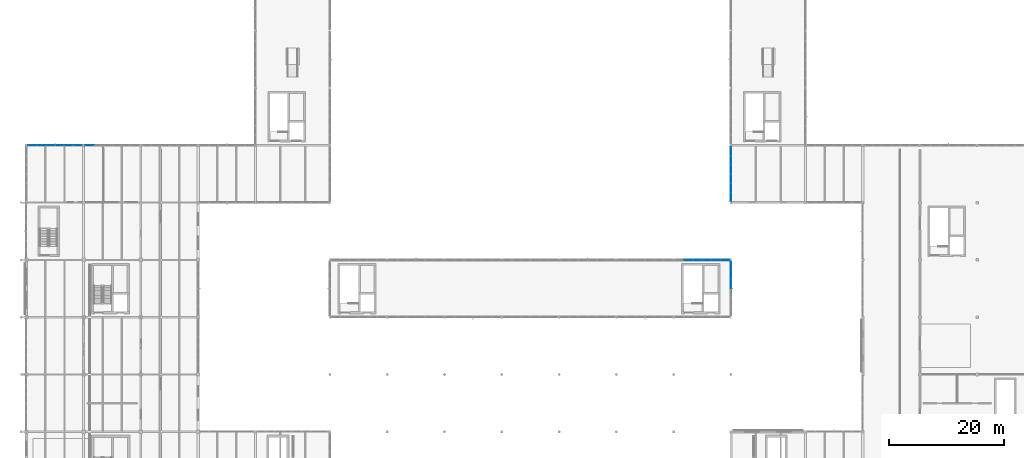
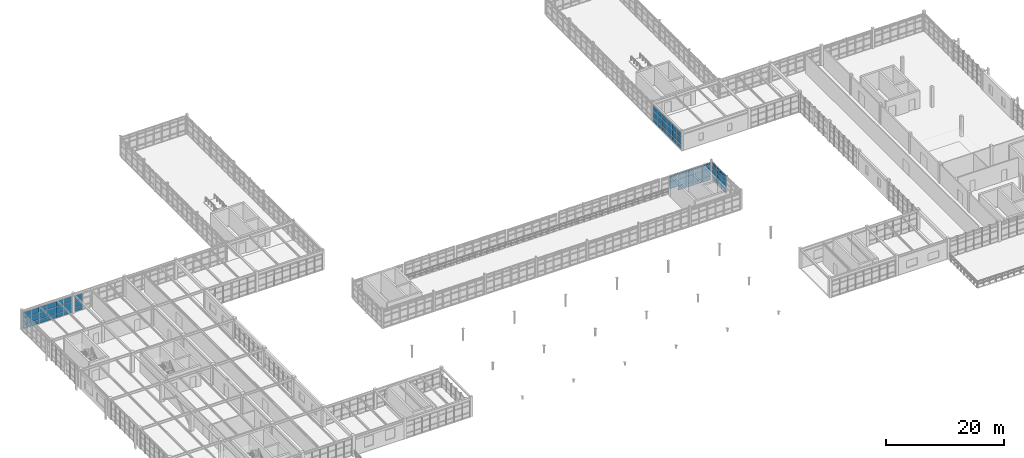
# One storey, part 83 of 122: 70 plates, 5 elements without a shape of their own.
"""IFC4 building model written with IfcOpenShell, lengths in metres."""

import ifcopenshell
import ifcopenshell.guid

model = None  # the IFC model being written
_history = None  # IfcOwnerHistory: only IFC2X3 demands one
_inside = {}  # id of a spatial element -> (the spatial element, [elements in it])
_under = {}  # id of a project, library or spatial element -> (it, [spatial elements below it])
_declared = {}  # id of a project -> (the project, [libraries it declares])
_typed = {}  # id of a type object -> (the type object, [elements of that type])
_made_of = {}  # id of a material, layer set ... -> (it, [elements and type objects made of it])


def new_model(schema):
    """Start an empty IFC model of exactly this schema.

    Asked for "IFC4X3", IfcOpenShell would pick the latest addendum, in which some entities
    have other attributes; the version numbers below select the first issue.
    IFC2X3 requires an IfcOwnerHistory on every rooted entity: one is made here for all.
    """
    global model, _history
    if schema == "IFC4X3":
        model = ifcopenshell.file(schema_version=(4, 3, 0, 0))
    else:
        model = ifcopenshell.file(schema=schema)
    _inside.clear()
    _under.clear()
    _declared.clear()
    _typed.clear()
    _made_of.clear()
    _history = None
    if model.schema == "IFC2X3":
        org = make("IfcOrganization", Name="unknown")
        user = make(
            "IfcPersonAndOrganization",
            ThePerson=make("IfcPerson", FamilyName="unknown"),
            TheOrganization=org,
        )
        app = make(
            "IfcApplication",
            ApplicationDeveloper=org,
            Version="unknown",
            ApplicationFullName="unknown",
            ApplicationIdentifier="unknown",
        )
        _history = make(
            "IfcOwnerHistory",
            OwningUser=user,
            OwningApplication=app,
            ChangeAction="ADDED",
            CreationDate=0,
        )
    return model


def make(cls, **values):
    """One entity of the class cls with the attributes given. An attribute that is None is left unset."""
    return model.create_entity(
        cls, **{name: value for name, value in values.items() if value is not None}
    )


def rooted(cls, **values):
    """An entity with a GlobalId (a new one), such as an element, a storey or a relation."""
    return make(cls, GlobalId=ifcopenshell.guid.new(), OwnerHistory=_history, **values)


def si_unit(unit_type, name, prefix=None):
    """IfcSIUnit, for example si_unit("LENGTHUNIT", "METRE", prefix="MILLI")."""
    return make("IfcSIUnit", UnitType=unit_type, Prefix=prefix, Name=name)


def assignment(units):
    """IfcUnitAssignment: the units of a project."""
    return None if units is None else make("IfcUnitAssignment", Units=units)


def point(xyz):
    """IfcCartesianPoint."""
    return None if xyz is None else make("IfcCartesianPoint", Coordinates=xyz)


def direction(xyz):
    """IfcDirection."""
    return None if xyz is None else make("IfcDirection", DirectionRatios=xyz)


def frame(location, z_axis=None, x_axis=None):
    """IfcAxis2Placement3D, a coordinate frame: its origin and axes. An axis left out is left unset."""
    return make(
        "IfcAxis2Placement3D",
        Location=point(location),
        Axis=direction(z_axis),
        RefDirection=direction(x_axis),
    )


def frame_2d(location, x_axis=None):
    """IfcAxis2Placement2D, a coordinate frame in the plane: its origin and x axis."""
    return make(
        "IfcAxis2Placement2D", Location=point(location), RefDirection=direction(x_axis)
    )


def origin():
    """The frame at (0, 0, 0) with its axes left unset."""
    return frame((0.0, 0.0, 0.0))


def origin_2d():
    """The frame at (0, 0) in the plane with its x axis left unset."""
    return frame_2d((0.0, 0.0))


def place(relative_to, where):
    """IfcLocalPlacement: puts the frame where relative to a parent placement (None: the world)."""
    return make(
        "IfcLocalPlacement", PlacementRelTo=relative_to, RelativePlacement=where
    )


def context(
    kind, dimensions, precision=None, world=None, true_north=None, identifier=None
):
    """IfcGeometricRepresentationContext, for example the 3D "Model" context."""
    return make(
        "IfcGeometricRepresentationContext",
        ContextIdentifier=identifier,
        ContextType=kind,
        CoordinateSpaceDimension=dimensions,
        Precision=precision,
        WorldCoordinateSystem=world,
        TrueNorth=true_north,
    )


def subcontext(parent, identifier, kind, view, scale=None):
    """IfcGeometricRepresentationSubContext, for example "Body" below "Model"."""
    return make(
        "IfcGeometricRepresentationSubContext",
        ContextIdentifier=identifier,
        ContextType=kind,
        ParentContext=parent,
        TargetScale=scale,
        TargetView=view,
    )


def project(units=None, contexts=None):
    """IfcProject with its units and contexts."""
    return rooted(
        "IfcProject",
        Name="project",
        RepresentationContexts=contexts,
        UnitsInContext=assignment(units),
    )


def spatial(cls, under=None, at=None, **own):
    """A site, building, storey or space (cls), placed at a placement, below another one or the project."""
    s = rooted(cls, ObjectPlacement=at, **own)
    if under is not None:
        _under.setdefault(under.id(), (under, []))[1].append(s)
    return s


def profile(cls, at=None, kind="AREA", **sizes):
    """A parametric profile (cls). Its sizes go by their IFC names, for example OverallWidth=200.0."""
    return make(cls, ProfileType=kind, Position=at, **sizes)


def rectangle(**sizes):
    """IfcRectangleProfileDef."""
    return profile("IfcRectangleProfileDef", **sizes)


def extrude(swept, where, along, depth):
    """IfcExtrudedAreaSolid: the profile swept, set in the frame where, extruded along a direction by depth."""
    return make(
        "IfcExtrudedAreaSolid",
        SweptArea=swept,
        Position=where,
        ExtrudedDirection=direction(along),
        Depth=depth,
    )


def shape(context_of_items, identifier, shape_type, items):
    """IfcShapeRepresentation: the items that make up one representation, for example the "Body"."""
    return make(
        "IfcShapeRepresentation",
        ContextOfItems=context_of_items,
        RepresentationIdentifier=identifier,
        RepresentationType=shape_type,
        Items=items,
    )


def material(Name=None, Category=None):
    """IfcMaterial."""
    return make("IfcMaterial", Name=Name, Category=Category)


def layer(
    of_material, thickness, ventilated=None, Name=None, Category=None, Priority=None
):
    """IfcMaterialLayer: one layer of a wall or slab, of a material (None: an air gap)."""
    return make(
        "IfcMaterialLayer",
        Material=of_material,
        LayerThickness=thickness,
        IsVentilated=ventilated,
        Name=Name,
        Category=Category,
        Priority=Priority,
    )


def layer_set(layers, Name=None):
    """IfcMaterialLayerSet."""
    return make("IfcMaterialLayerSet", MaterialLayers=layers, LayerSetName=Name)


def made_of(thing, what):
    """Note that an element or type object is made of a material, layer set ...; save() writes the relation."""
    if what is not None:
        _made_of.setdefault(what.id(), (what, []))[1].append(thing)
    return thing


def type_object(cls, material=None, **own):
    """A type object (cls), such as IfcWallType, which elements share."""
    return made_of(rooted(cls, **own), material)


def element(
    cls,
    number,
    at=None,
    inside=None,
    cuts=None,
    type_object=None,
    material=None,
    context=None,
    identifier="Body",
    shape_type=None,
    held_by="IfcProductDefinitionShape",
    body=None,
    shapes=None,
    **own,
):
    """One element of the class cls, such as IfcWall. Its Tag is "e" and its number.

    at: its placement. inside: the storey or other place that contains it. cuts: it is an
    opening in that element (IfcRelVoidsElement). A single representation is given by context,
    identifier, shape_type and body (its items); several are given by shapes. held_by: the class
    of the entity that holds the representations. save() writes the other relations.
    """
    e = rooted(cls, Tag="e%d" % number, ObjectPlacement=at, **own)
    if body is not None:
        shapes = [shape(context, identifier, shape_type, body)]
    if shapes is not None:
        e.Representation = make(held_by, Representations=shapes)
    if inside is not None:
        _inside.setdefault(inside.id(), (inside, []))[1].append(e)
    if cuts is not None:
        rooted(
            "IfcRelVoidsElement", RelatingBuildingElement=cuts, RelatedOpeningElement=e
        )
    if type_object is not None:
        _typed.setdefault(type_object.id(), (type_object, []))[1].append(e)
    return made_of(e, material)


def aggregate(whole, parts):
    """IfcRelAggregates: a whole, such as a stair, and the parts it consists of."""
    return rooted("IfcRelAggregates", RelatingObject=whole, RelatedObjects=parts)


def save(model, path):
    """Write the relations noted so far, then the file.

    IfcRelAggregates (storeys below a building ...), IfcRelContainedInSpatialStructure (elements
    in a storey), IfcRelDefinesByType, IfcRelAssociatesMaterial and IfcRelDeclares: one each for
    every whole, place, type object, material and project.
    """
    for whole, parts in _under.values():
        aggregate(whole, parts)
    for where, things in _inside.values():
        rooted(
            "IfcRelContainedInSpatialStructure",
            RelatedElements=things,
            RelatingStructure=where,
        )
    for kind, things in _typed.values():
        rooted("IfcRelDefinesByType", RelatedObjects=things, RelatingType=kind)
    for what, things in _made_of.values():
        rooted("IfcRelAssociatesMaterial", RelatedObjects=things, RelatingMaterial=what)
    for by, libraries in _declared.values():
        rooted("IfcRelDeclares", RelatingContext=by, RelatedDefinitions=libraries)
    model.write(path)


model = new_model("IFC4")

# Units and contexts
model_context = context("Model", 3, precision=1e-05, world=origin(), true_north=direction((0.0, 1.0)))
body_context = subcontext(model_context, "Body", "Model", "MODEL_VIEW")
ifc_project = project(units=[si_unit("LENGTHUNIT", "METRE"), si_unit("AREAUNIT", "SQUARE_METRE"), si_unit("VOLUMEUNIT", "CUBIC_METRE"), si_unit("PLANEANGLEUNIT", "RADIAN"), si_unit("MASSUNIT", "GRAM", prefix="KILO"), si_unit("THERMODYNAMICTEMPERATUREUNIT", "KELVIN"), si_unit("POWERUNIT", "WATT")], contexts=[model_context])

# Site, building, storey
site_placement = place(None, origin())
site = spatial("IfcSite", under=ifc_project, at=site_placement, CompositionType="ELEMENT")
building_placement = place(site_placement, origin())
building = spatial("IfcBuilding", under=site, at=building_placement, Name="Korenveer Ferry Terminal", CompositionType="ELEMENT")
storey_placement = place(building_placement, frame((0.0, 0.0, 10.199951171875)))
storey = spatial("IfcBuildingStorey", under=building, at=storey_placement, Name="L02", CompositionType="ELEMENT", Elevation=10.199951171875)

# Curtain wall, plates
ifc_material_1 = material(Name="Unitised bronze-and-glass curtain wall", Category="glass")
ifc_layer_1 = layer(ifc_material_1, 0.219970703125)
ifc_layer_set_1 = layer_set([ifc_layer_1], Name="Unitised bronze-and-glass curtain wall")
curtain_wall_type_1 = type_object("IfcCurtainWallType", Name="ENV-CW-91", PredefinedType="USERDEFINED", material=ifc_layer_set_1)
curtain_wall_1_placement = place(storey_placement, frame((113.179931640625, 60.0, 0.0)))
curtain_wall_1 = element("IfcCurtainWall", 1, at=curtain_wall_1_placement, inside=storey, type_object=curtain_wall_type_1, Name="Lancet curtain wall CWX-L02-X113-123-Y60-60", ObjectType="UNITISED CURTAIN WALL", PredefinedType="USERDEFINED")
ifc_material_2 = material(Name="Acoustic laminated marine glazing", Category="glass")
ifc_layer_2 = layer(ifc_material_2, 0.035888671875)
ifc_layer_set_2 = layer_set([ifc_layer_2], Name="Acoustic laminated marine glazing")
plate_type = type_object("IfcPlateType", Name="ENV-CWP-GLZ36", PredefinedType="CURTAIN_PANEL", material=ifc_layer_set_2)
plate_1_placement = place(storey_placement, frame((115.590087890625, 60.0, 0.9375), z_axis=(0.0, 0.0, 1.0), x_axis=(1.0, 0.0, 0.0)))
plate_1 = element("IfcPlate", 2, at=plate_1_placement, type_object=plate_type, Name="CW-91 panel 2.2", PredefinedType="CURTAIN_PANEL", context=body_context, shape_type="SweptSolid", body=[
    extrude(rectangle(XDim=1.53173828125, YDim=0.035888671875, at=origin_2d()), origin(), (0.0, 0.0, 1.0), 1.375),
])
plate_2_placement = place(storey_placement, frame((115.590087890625, 60.0, 2.3876953125), z_axis=(0.0, 0.0, 1.0), x_axis=(1.0, 0.0, 0.0)))
plate_2 = element("IfcPlate", 3, at=plate_2_placement, type_object=plate_type, Name="CW-91 panel 2.3", PredefinedType="CURTAIN_PANEL", context=body_context, shape_type="SweptSolid", body=[
    extrude(rectangle(XDim=1.53173828125, YDim=0.035888671875, at=origin_2d()), origin(), (0.0, 0.0, 1.0), 0.824951171875),
])
plate_3_placement = place(storey_placement, frame((115.590087890625, 60.0, 3.28759765625), z_axis=(0.0, 0.0, 1.0), x_axis=(1.0, 0.0, 0.0)))
plate_3 = element("IfcPlate", 4, at=plate_3_placement, type_object=plate_type, Name="CW-91 panel 2.4", PredefinedType="CURTAIN_PANEL", context=body_context, shape_type="SweptSolid", body=[
    extrude(rectangle(XDim=1.53173828125, YDim=0.035888671875, at=origin_2d()), origin(), (0.0, 0.0, 1.0), 0.297607421875),
])
plate_4_placement = place(storey_placement, frame((117.19677734375, 60.0, 0.074951171875), z_axis=(0.0, 0.0, 1.0), x_axis=(1.0, 0.0, 0.0)))
plate_4 = element("IfcPlate", 5, at=plate_4_placement, type_object=plate_type, Name="CW-91 panel 3.1", PredefinedType="CURTAIN_PANEL", context=body_context, shape_type="SweptSolid", body=[
    extrude(rectangle(XDim=1.53173828125, YDim=0.035888671875, at=origin_2d()), origin(), (0.0, 0.0, 1.0), 0.78759765625),
])
plate_5_placement = place(storey_placement, frame((117.19677734375, 60.0, 0.9375), z_axis=(0.0, 0.0, 1.0), x_axis=(1.0, 0.0, 0.0)))
plate_5 = element("IfcPlate", 6, at=plate_5_placement, type_object=plate_type, Name="CW-91 panel 3.2", PredefinedType="CURTAIN_PANEL", context=body_context, shape_type="SweptSolid", body=[
    extrude(rectangle(XDim=1.53173828125, YDim=0.035888671875, at=origin_2d()), origin(), (0.0, 0.0, 1.0), 1.375),
])
plate_6_placement = place(storey_placement, frame((117.19677734375, 60.0, 2.3876953125), z_axis=(0.0, 0.0, 1.0), x_axis=(1.0, 0.0, 0.0)))
plate_6 = element("IfcPlate", 7, at=plate_6_placement, type_object=plate_type, Name="CW-91 panel 3.3", PredefinedType="CURTAIN_PANEL", context=body_context, shape_type="SweptSolid", body=[
    extrude(rectangle(XDim=1.53173828125, YDim=0.035888671875, at=origin_2d()), origin(), (0.0, 0.0, 1.0), 0.824951171875),
])
plate_7_placement = place(storey_placement, frame((117.19677734375, 60.0, 3.28759765625), z_axis=(0.0, 0.0, 1.0), x_axis=(1.0, 0.0, 0.0)))
plate_7 = element("IfcPlate", 8, at=plate_7_placement, type_object=plate_type, Name="CW-91 panel 3.4", PredefinedType="CURTAIN_PANEL", context=body_context, shape_type="SweptSolid", body=[
    extrude(rectangle(XDim=1.53173828125, YDim=0.035888671875, at=origin_2d()), origin(), (0.0, 0.0, 1.0), 0.297607421875),
])
plate_8_placement = place(storey_placement, frame((118.80322265625, 60.0, 0.074951171875), z_axis=(0.0, 0.0, 1.0), x_axis=(1.0, 0.0, 0.0)))
plate_8 = element("IfcPlate", 9, at=plate_8_placement, type_object=plate_type, Name="CW-91 panel 4.1", PredefinedType="CURTAIN_PANEL", context=body_context, shape_type="SweptSolid", body=[
    extrude(rectangle(XDim=1.53173828125, YDim=0.035888671875, at=origin_2d()), origin(), (0.0, 0.0, 1.0), 0.78759765625),
])
plate_9_placement = place(storey_placement, frame((118.80322265625, 60.0, 0.9375), z_axis=(0.0, 0.0, 1.0), x_axis=(1.0, 0.0, 0.0)))
plate_9 = element("IfcPlate", 10, at=plate_9_placement, type_object=plate_type, Name="CW-91 panel 4.2", PredefinedType="CURTAIN_PANEL", context=body_context, shape_type="SweptSolid", body=[
    extrude(rectangle(XDim=1.53173828125, YDim=0.035888671875, at=origin_2d()), origin(), (0.0, 0.0, 1.0), 1.375),
])
plate_10_placement = place(storey_placement, frame((118.80322265625, 60.0, 2.3876953125), z_axis=(0.0, 0.0, 1.0), x_axis=(1.0, 0.0, 0.0)))
plate_10 = element("IfcPlate", 11, at=plate_10_placement, type_object=plate_type, Name="CW-91 panel 4.3", PredefinedType="CURTAIN_PANEL", context=body_context, shape_type="SweptSolid", body=[
    extrude(rectangle(XDim=1.53173828125, YDim=0.035888671875, at=origin_2d()), origin(), (0.0, 0.0, 1.0), 0.824951171875),
])
plate_11_placement = place(storey_placement, frame((118.80322265625, 60.0, 3.28759765625), z_axis=(0.0, 0.0, 1.0), x_axis=(1.0, 0.0, 0.0)))
plate_11 = element("IfcPlate", 12, at=plate_11_placement, type_object=plate_type, Name="CW-91 panel 4.4", PredefinedType="CURTAIN_PANEL", context=body_context, shape_type="SweptSolid", body=[
    extrude(rectangle(XDim=1.53173828125, YDim=0.035888671875, at=origin_2d()), origin(), (0.0, 0.0, 1.0), 0.297607421875),
])
plate_12_placement = place(storey_placement, frame((120.409912109375, 60.0, 0.074951171875), z_axis=(0.0, 0.0, 1.0), x_axis=(1.0, 0.0, 0.0)))
plate_12 = element("IfcPlate", 13, at=plate_12_placement, type_object=plate_type, Name="CW-91 panel 5.1", PredefinedType="CURTAIN_PANEL", context=body_context, shape_type="SweptSolid", body=[
    extrude(rectangle(XDim=1.53173828125, YDim=0.035888671875, at=origin_2d()), origin(), (0.0, 0.0, 1.0), 0.78759765625),
])
plate_13_placement = place(storey_placement, frame((120.409912109375, 60.0, 0.9375), z_axis=(0.0, 0.0, 1.0), x_axis=(1.0, 0.0, 0.0)))
plate_13 = element("IfcPlate", 14, at=plate_13_placement, type_object=plate_type, Name="CW-91 panel 5.2", PredefinedType="CURTAIN_PANEL", context=body_context, shape_type="SweptSolid", body=[
    extrude(rectangle(XDim=1.53173828125, YDim=0.035888671875, at=origin_2d()), origin(), (0.0, 0.0, 1.0), 1.375),
])
plate_14_placement = place(storey_placement, frame((120.409912109375, 60.0, 2.3876953125), z_axis=(0.0, 0.0, 1.0), x_axis=(1.0, 0.0, 0.0)))
plate_14 = element("IfcPlate", 15, at=plate_14_placement, type_object=plate_type, Name="CW-91 panel 5.3", PredefinedType="CURTAIN_PANEL", context=body_context, shape_type="SweptSolid", body=[
    extrude(rectangle(XDim=1.53173828125, YDim=0.035888671875, at=origin_2d()), origin(), (0.0, 0.0, 1.0), 0.824951171875),
])
plate_15_placement = place(storey_placement, frame((120.409912109375, 60.0, 3.28759765625), z_axis=(0.0, 0.0, 1.0), x_axis=(1.0, 0.0, 0.0)))
plate_15 = element("IfcPlate", 16, at=plate_15_placement, type_object=plate_type, Name="CW-91 panel 5.4", PredefinedType="CURTAIN_PANEL", context=body_context, shape_type="SweptSolid", body=[
    extrude(rectangle(XDim=1.53173828125, YDim=0.035888671875, at=origin_2d()), origin(), (0.0, 0.0, 1.0), 0.297607421875),
])
plate_16_placement = place(storey_placement, frame((121.997802734375, 60.0, 0.074951171875), z_axis=(0.0, 0.0, 1.0), x_axis=(1.0, 0.0, 0.0)))
plate_16 = element("IfcPlate", 17, at=plate_16_placement, type_object=plate_type, Name="CW-91 panel 6.1", PredefinedType="CURTAIN_PANEL", context=body_context, shape_type="SweptSolid", body=[
    extrude(rectangle(XDim=1.494140625, YDim=0.035888671875, at=origin_2d()), origin(), (0.0, 0.0, 1.0), 0.78759765625),
])
plate_17_placement = place(storey_placement, frame((121.997802734375, 60.0, 0.9375), z_axis=(0.0, 0.0, 1.0), x_axis=(1.0, 0.0, 0.0)))
plate_17 = element("IfcPlate", 18, at=plate_17_placement, type_object=plate_type, Name="CW-91 panel 6.2", PredefinedType="CURTAIN_PANEL", context=body_context, shape_type="SweptSolid", body=[
    extrude(rectangle(XDim=1.494140625, YDim=0.035888671875, at=origin_2d()), origin(), (0.0, 0.0, 1.0), 1.375),
])
plate_18_placement = place(storey_placement, frame((121.997802734375, 60.0, 2.3876953125), z_axis=(0.0, 0.0, 1.0), x_axis=(1.0, 0.0, 0.0)))
plate_18 = element("IfcPlate", 19, at=plate_18_placement, type_object=plate_type, Name="CW-91 panel 6.3", PredefinedType="CURTAIN_PANEL", context=body_context, shape_type="SweptSolid", body=[
    extrude(rectangle(XDim=1.494140625, YDim=0.035888671875, at=origin_2d()), origin(), (0.0, 0.0, 1.0), 0.824951171875),
])
plate_19_placement = place(storey_placement, frame((121.997802734375, 60.0, 3.28759765625), z_axis=(0.0, 0.0, 1.0), x_axis=(1.0, 0.0, 0.0)))
plate_19 = element("IfcPlate", 20, at=plate_19_placement, type_object=plate_type, Name="CW-91 panel 6.4", PredefinedType="CURTAIN_PANEL", context=body_context, shape_type="SweptSolid", body=[
    extrude(rectangle(XDim=1.494140625, YDim=0.035888671875, at=origin_2d()), origin(), (0.0, 0.0, 1.0), 0.297607421875),
])
aggregate(curtain_wall_1, [plate_1, plate_2, plate_3, plate_4, plate_5, plate_6, plate_7, plate_8, plate_9, plate_10, plate_11, plate_12, plate_13, plate_14, plate_15, plate_16, plate_17, plate_18, plate_19])

ifc_layer_3 = layer(ifc_material_1, 0.219970703125)
ifc_layer_set_3 = layer_set([ifc_layer_3], Name="Unitised bronze-and-glass curtain wall")
curtain_wall_type_2 = type_object("IfcCurtainWallType", Name="ENV-CW-94", PredefinedType="USERDEFINED", material=ifc_layer_set_3)
curtain_wall_2_placement = place(storey_placement, frame((0.2548828125, 80.0, 0.0)))
curtain_wall_2 = element("IfcCurtainWall", 21, at=curtain_wall_2_placement, inside=storey, type_object=curtain_wall_type_2, Name="Lancet curtain wall CWX-L02-X0-10-Y80-80", ObjectType="UNITISED CURTAIN WALL", PredefinedType="USERDEFINED")
plate_20_placement = place(storey_placement, frame((1.064697265625, 80.0, 0.074951171875), z_axis=(0.0, 0.0, 1.0), x_axis=(1.0, 0.0, 0.0)))
plate_20 = element("IfcPlate", 22, at=plate_20_placement, type_object=plate_type, Name="CW-94 panel 1.1", PredefinedType="CURTAIN_PANEL", context=body_context, shape_type="SweptSolid", body=[
    extrude(rectangle(XDim=1.46923828125, YDim=0.035888671875, at=origin_2d()), origin(), (0.0, 0.0, 1.0), 0.78759765625),
])
plate_21_placement = place(storey_placement, frame((1.064697265625, 80.0, 0.9375), z_axis=(0.0, 0.0, 1.0), x_axis=(1.0, 0.0, 0.0)))
plate_21 = element("IfcPlate", 23, at=plate_21_placement, type_object=plate_type, Name="CW-94 panel 1.2", PredefinedType="CURTAIN_PANEL", context=body_context, shape_type="SweptSolid", body=[
    extrude(rectangle(XDim=1.46923828125, YDim=0.035888671875, at=origin_2d()), origin(), (0.0, 0.0, 1.0), 1.375),
])
plate_22_placement = place(storey_placement, frame((1.064697265625, 80.0, 2.3876953125), z_axis=(0.0, 0.0, 1.0), x_axis=(1.0, 0.0, 0.0)))
plate_22 = element("IfcPlate", 24, at=plate_22_placement, type_object=plate_type, Name="CW-94 panel 1.3", PredefinedType="CURTAIN_PANEL", context=body_context, shape_type="SweptSolid", body=[
    extrude(rectangle(XDim=1.46923828125, YDim=0.035888671875, at=origin_2d()), origin(), (0.0, 0.0, 1.0), 1.08740234375),
])
plate_23_placement = place(storey_placement, frame((2.62744140625, 80.0, 0.074951171875), z_axis=(0.0, 0.0, 1.0), x_axis=(1.0, 0.0, 0.0)))
plate_23 = element("IfcPlate", 25, at=plate_23_placement, type_object=plate_type, Name="CW-94 panel 2.1", PredefinedType="CURTAIN_PANEL", context=body_context, shape_type="SweptSolid", body=[
    extrude(rectangle(XDim=1.506591796875, YDim=0.035888671875, at=origin_2d()), origin(), (0.0, 0.0, 1.0), 0.78759765625),
])
plate_24_placement = place(storey_placement, frame((2.62744140625, 80.0, 0.9375), z_axis=(0.0, 0.0, 1.0), x_axis=(1.0, 0.0, 0.0)))
plate_24 = element("IfcPlate", 26, at=plate_24_placement, type_object=plate_type, Name="CW-94 panel 2.2", PredefinedType="CURTAIN_PANEL", context=body_context, shape_type="SweptSolid", body=[
    extrude(rectangle(XDim=1.506591796875, YDim=0.035888671875, at=origin_2d()), origin(), (0.0, 0.0, 1.0), 1.375),
])
plate_25_placement = place(storey_placement, frame((2.62744140625, 80.0, 2.3876953125), z_axis=(0.0, 0.0, 1.0), x_axis=(1.0, 0.0, 0.0)))
plate_25 = element("IfcPlate", 27, at=plate_25_placement, type_object=plate_type, Name="CW-94 panel 2.3", PredefinedType="CURTAIN_PANEL", context=body_context, shape_type="SweptSolid", body=[
    extrude(rectangle(XDim=1.506591796875, YDim=0.035888671875, at=origin_2d()), origin(), (0.0, 0.0, 1.0), 1.08740234375),
])
plate_26_placement = place(storey_placement, frame((4.209228515625, 80.0, 0.074951171875), z_axis=(0.0, 0.0, 1.0), x_axis=(1.0, 0.0, 0.0)))
plate_26 = element("IfcPlate", 28, at=plate_26_placement, type_object=plate_type, Name="CW-94 panel 3.1", PredefinedType="CURTAIN_PANEL", context=body_context, shape_type="SweptSolid", body=[
    extrude(rectangle(XDim=1.506591796875, YDim=0.035888671875, at=origin_2d()), origin(), (0.0, 0.0, 1.0), 0.78759765625),
])
plate_27_placement = place(storey_placement, frame((4.209228515625, 80.0, 0.9375), z_axis=(0.0, 0.0, 1.0), x_axis=(1.0, 0.0, 0.0)))
plate_27 = element("IfcPlate", 29, at=plate_27_placement, type_object=plate_type, Name="CW-94 panel 3.2", PredefinedType="CURTAIN_PANEL", context=body_context, shape_type="SweptSolid", body=[
    extrude(rectangle(XDim=1.506591796875, YDim=0.035888671875, at=origin_2d()), origin(), (0.0, 0.0, 1.0), 1.375),
])
plate_28_placement = place(storey_placement, frame((4.209228515625, 80.0, 2.3876953125), z_axis=(0.0, 0.0, 1.0), x_axis=(1.0, 0.0, 0.0)))
plate_28 = element("IfcPlate", 30, at=plate_28_placement, type_object=plate_type, Name="CW-94 panel 3.3", PredefinedType="CURTAIN_PANEL", context=body_context, shape_type="SweptSolid", body=[
    extrude(rectangle(XDim=1.506591796875, YDim=0.035888671875, at=origin_2d()), origin(), (0.0, 0.0, 1.0), 1.08740234375),
])
plate_29_placement = place(storey_placement, frame((5.790771484375, 80.0, 0.074951171875), z_axis=(0.0, 0.0, 1.0), x_axis=(1.0, 0.0, 0.0)))
plate_29 = element("IfcPlate", 31, at=plate_29_placement, type_object=plate_type, Name="CW-94 panel 4.1", PredefinedType="CURTAIN_PANEL", context=body_context, shape_type="SweptSolid", body=[
    extrude(rectangle(XDim=1.506591796875, YDim=0.035888671875, at=origin_2d()), origin(), (0.0, 0.0, 1.0), 0.78759765625),
])
plate_30_placement = place(storey_placement, frame((5.790771484375, 80.0, 0.9375), z_axis=(0.0, 0.0, 1.0), x_axis=(1.0, 0.0, 0.0)))
plate_30 = element("IfcPlate", 32, at=plate_30_placement, type_object=plate_type, Name="CW-94 panel 4.2", PredefinedType="CURTAIN_PANEL", context=body_context, shape_type="SweptSolid", body=[
    extrude(rectangle(XDim=1.506591796875, YDim=0.035888671875, at=origin_2d()), origin(), (0.0, 0.0, 1.0), 1.375),
])
plate_31_placement = place(storey_placement, frame((5.790771484375, 80.0, 2.3876953125), z_axis=(0.0, 0.0, 1.0), x_axis=(1.0, 0.0, 0.0)))
plate_31 = element("IfcPlate", 33, at=plate_31_placement, type_object=plate_type, Name="CW-94 panel 4.3", PredefinedType="CURTAIN_PANEL", context=body_context, shape_type="SweptSolid", body=[
    extrude(rectangle(XDim=1.506591796875, YDim=0.035888671875, at=origin_2d()), origin(), (0.0, 0.0, 1.0), 1.08740234375),
])
plate_32_placement = place(storey_placement, frame((7.37255859375, 80.0, 0.074951171875), z_axis=(0.0, 0.0, 1.0), x_axis=(1.0, 0.0, 0.0)))
plate_32 = element("IfcPlate", 34, at=plate_32_placement, type_object=plate_type, Name="CW-94 panel 5.1", PredefinedType="CURTAIN_PANEL", context=body_context, shape_type="SweptSolid", body=[
    extrude(rectangle(XDim=1.506591796875, YDim=0.035888671875, at=origin_2d()), origin(), (0.0, 0.0, 1.0), 0.78759765625),
])
plate_33_placement = place(storey_placement, frame((7.37255859375, 80.0, 0.9375), z_axis=(0.0, 0.0, 1.0), x_axis=(1.0, 0.0, 0.0)))
plate_33 = element("IfcPlate", 35, at=plate_33_placement, type_object=plate_type, Name="CW-94 panel 5.2", PredefinedType="CURTAIN_PANEL", context=body_context, shape_type="SweptSolid", body=[
    extrude(rectangle(XDim=1.506591796875, YDim=0.035888671875, at=origin_2d()), origin(), (0.0, 0.0, 1.0), 1.375),
])
plate_34_placement = place(storey_placement, frame((7.37255859375, 80.0, 2.3876953125), z_axis=(0.0, 0.0, 1.0), x_axis=(1.0, 0.0, 0.0)))
plate_34 = element("IfcPlate", 36, at=plate_34_placement, type_object=plate_type, Name="CW-94 panel 5.3", PredefinedType="CURTAIN_PANEL", context=body_context, shape_type="SweptSolid", body=[
    extrude(rectangle(XDim=1.506591796875, YDim=0.035888671875, at=origin_2d()), origin(), (0.0, 0.0, 1.0), 1.08740234375),
])
plate_35_placement = place(storey_placement, frame((8.935302734375, 80.0, 0.074951171875), z_axis=(0.0, 0.0, 1.0), x_axis=(1.0, 0.0, 0.0)))
plate_35 = element("IfcPlate", 37, at=plate_35_placement, type_object=plate_type, Name="CW-94 panel 6.1", PredefinedType="CURTAIN_PANEL", context=body_context, shape_type="SweptSolid", body=[
    extrude(rectangle(XDim=1.46923828125, YDim=0.035888671875, at=origin_2d()), origin(), (0.0, 0.0, 1.0), 0.78759765625),
])
plate_36_placement = place(storey_placement, frame((8.935302734375, 80.0, 0.9375), z_axis=(0.0, 0.0, 1.0), x_axis=(1.0, 0.0, 0.0)))
plate_36 = element("IfcPlate", 38, at=plate_36_placement, type_object=plate_type, Name="CW-94 panel 6.2", PredefinedType="CURTAIN_PANEL", context=body_context, shape_type="SweptSolid", body=[
    extrude(rectangle(XDim=1.46923828125, YDim=0.035888671875, at=origin_2d()), origin(), (0.0, 0.0, 1.0), 1.375),
])
plate_37_placement = place(storey_placement, frame((8.935302734375, 80.0, 2.3876953125), z_axis=(0.0, 0.0, 1.0), x_axis=(1.0, 0.0, 0.0)))
plate_37 = element("IfcPlate", 39, at=plate_37_placement, type_object=plate_type, Name="CW-94 panel 6.3", PredefinedType="CURTAIN_PANEL", context=body_context, shape_type="SweptSolid", body=[
    extrude(rectangle(XDim=1.46923828125, YDim=0.035888671875, at=origin_2d()), origin(), (0.0, 0.0, 1.0), 1.08740234375),
])
aggregate(curtain_wall_2, [plate_20, plate_21, plate_22, plate_23, plate_24, plate_25, plate_26, plate_27, plate_28, plate_29, plate_30, plate_31, plate_32, plate_33, plate_34, plate_35, plate_36, plate_37])

ifc_layer_4 = layer(ifc_material_1, 0.219970703125)
ifc_layer_set_4 = layer_set([ifc_layer_4], Name="Unitised bronze-and-glass curtain wall")
curtain_wall_type_3 = type_object("IfcCurtainWallType", Name="ENV-CW-95", PredefinedType="USERDEFINED", material=ifc_layer_set_4)
curtain_wall_3_placement = place(storey_placement, frame((10.2548828125, 80.0, 0.0)))
curtain_wall_3 = element("IfcCurtainWall", 40, at=curtain_wall_3_placement, inside=storey, type_object=curtain_wall_type_3, Name="Lancet curtain wall CWX-L02-X10-20-Y80-80", ObjectType="UNITISED CURTAIN WALL", PredefinedType="USERDEFINED")
plate_38_placement = place(storey_placement, frame((11.064697265625, 80.0, 0.074951171875), z_axis=(0.0, 0.0, 1.0), x_axis=(1.0, 0.0, 0.0)))
plate_38 = element("IfcPlate", 41, at=plate_38_placement, type_object=plate_type, Name="CW-95 panel 1.1", PredefinedType="CURTAIN_PANEL", context=body_context, shape_type="SweptSolid", body=[
    extrude(rectangle(XDim=1.46923828125, YDim=0.035888671875, at=origin_2d()), origin(), (0.0, 0.0, 1.0), 0.78759765625),
])
plate_39_placement = place(storey_placement, frame((11.064697265625, 80.0, 0.9375), z_axis=(0.0, 0.0, 1.0), x_axis=(1.0, 0.0, 0.0)))
plate_39 = element("IfcPlate", 42, at=plate_39_placement, type_object=plate_type, Name="CW-95 panel 1.2", PredefinedType="CURTAIN_PANEL", context=body_context, shape_type="SweptSolid", body=[
    extrude(rectangle(XDim=1.46923828125, YDim=0.035888671875, at=origin_2d()), origin(), (0.0, 0.0, 1.0), 1.375),
])
plate_40_placement = place(storey_placement, frame((11.064697265625, 80.0, 2.3876953125), z_axis=(0.0, 0.0, 1.0), x_axis=(1.0, 0.0, 0.0)))
plate_40 = element("IfcPlate", 43, at=plate_40_placement, type_object=plate_type, Name="CW-95 panel 1.3", PredefinedType="CURTAIN_PANEL", context=body_context, shape_type="SweptSolid", body=[
    extrude(rectangle(XDim=1.46923828125, YDim=0.035888671875, at=origin_2d()), origin(), (0.0, 0.0, 1.0), 0.987548828125),
])
aggregate(curtain_wall_3, [plate_38, plate_39, plate_40])

ifc_layer_5 = layer(ifc_material_1, 0.219970703125)
ifc_layer_set_5 = layer_set([ifc_layer_5], Name="Unitised bronze-and-glass curtain wall")
curtain_wall_type_4 = type_object("IfcCurtainWallType", Name="ENV-CW-120", PredefinedType="USERDEFINED", material=ifc_layer_set_5)
curtain_wall_4_placement = place(storey_placement, frame((123.0, 59.7900390625, 0.0)))
curtain_wall_4 = element("IfcCurtainWall", 44, at=curtain_wall_4_placement, inside=storey, type_object=curtain_wall_type_4, Name="Lancet curtain wall CWX-L02-X123-123-Y50-60", ObjectType="UNITISED CURTAIN WALL", PredefinedType="USERDEFINED")
plate_41_placement = place(storey_placement, frame((123.0, 58.972900390625, 0.074951171875), z_axis=(0.0, 0.0, 1.0), x_axis=(0.0, -1.0, 0.0)))
plate_41 = element("IfcPlate", 45, at=plate_41_placement, type_object=plate_type, Name="CW-120 panel 1.1", PredefinedType="CURTAIN_PANEL", context=body_context, shape_type="SweptSolid", body=[
    extrude(rectangle(XDim=1.484130859375, YDim=0.035888671875, at=origin_2d()), origin(), (0.0, 0.0, 1.0), 0.78759765625),
])
plate_42_placement = place(storey_placement, frame((123.0, 58.972900390625, 0.9375), z_axis=(0.0, 0.0, 1.0), x_axis=(0.0, -1.0, 0.0)))
plate_42 = element("IfcPlate", 46, at=plate_42_placement, type_object=plate_type, Name="CW-120 panel 1.2", PredefinedType="CURTAIN_PANEL", context=body_context, shape_type="SweptSolid", body=[
    extrude(rectangle(XDim=1.484130859375, YDim=0.035888671875, at=origin_2d()), origin(), (0.0, 0.0, 1.0), 1.375),
])
plate_43_placement = place(storey_placement, frame((123.0, 58.972900390625, 2.3876953125), z_axis=(0.0, 0.0, 1.0), x_axis=(0.0, -1.0, 0.0)))
plate_43 = element("IfcPlate", 47, at=plate_43_placement, type_object=plate_type, Name="CW-120 panel 1.3", PredefinedType="CURTAIN_PANEL", context=body_context, shape_type="SweptSolid", body=[
    extrude(rectangle(XDim=1.484130859375, YDim=0.035888671875, at=origin_2d()), origin(), (0.0, 0.0, 1.0), 0.824951171875),
])
plate_44_placement = place(storey_placement, frame((123.0, 58.972900390625, 3.28759765625), z_axis=(0.0, 0.0, 1.0), x_axis=(0.0, -1.0, 0.0)))
plate_44 = element("IfcPlate", 48, at=plate_44_placement, type_object=plate_type, Name="CW-120 panel 1.4", PredefinedType="CURTAIN_PANEL", context=body_context, shape_type="SweptSolid", body=[
    extrude(rectangle(XDim=1.484130859375, YDim=0.035888671875, at=origin_2d()), origin(), (0.0, 0.0, 1.0), 0.49755859375),
])
plate_45_placement = place(storey_placement, frame((123.0, 57.39501953125, 0.074951171875), z_axis=(0.0, 0.0, 1.0), x_axis=(0.0, -1.0, 0.0)))
plate_45 = element("IfcPlate", 49, at=plate_45_placement, type_object=plate_type, Name="CW-120 panel 2.1", PredefinedType="CURTAIN_PANEL", context=body_context, shape_type="SweptSolid", body=[
    extrude(rectangle(XDim=1.521728515625, YDim=0.035888671875, at=origin_2d()), origin(), (0.0, 0.0, 1.0), 0.78759765625),
])
plate_46_placement = place(storey_placement, frame((123.0, 57.39501953125, 0.9375), z_axis=(0.0, 0.0, 1.0), x_axis=(0.0, -1.0, 0.0)))
plate_46 = element("IfcPlate", 50, at=plate_46_placement, type_object=plate_type, Name="CW-120 panel 2.2", PredefinedType="CURTAIN_PANEL", context=body_context, shape_type="SweptSolid", body=[
    extrude(rectangle(XDim=1.521728515625, YDim=0.035888671875, at=origin_2d()), origin(), (0.0, 0.0, 1.0), 1.375),
])
plate_47_placement = place(storey_placement, frame((123.0, 57.39501953125, 2.3876953125), z_axis=(0.0, 0.0, 1.0), x_axis=(0.0, -1.0, 0.0)))
plate_47 = element("IfcPlate", 51, at=plate_47_placement, type_object=plate_type, Name="CW-120 panel 2.3", PredefinedType="CURTAIN_PANEL", context=body_context, shape_type="SweptSolid", body=[
    extrude(rectangle(XDim=1.521728515625, YDim=0.035888671875, at=origin_2d()), origin(), (0.0, 0.0, 1.0), 0.824951171875),
])
plate_48_placement = place(storey_placement, frame((123.0, 57.39501953125, 3.28759765625), z_axis=(0.0, 0.0, 1.0), x_axis=(0.0, -1.0, 0.0)))
plate_48 = element("IfcPlate", 52, at=plate_48_placement, type_object=plate_type, Name="CW-120 panel 2.4", PredefinedType="CURTAIN_PANEL", context=body_context, shape_type="SweptSolid", body=[
    extrude(rectangle(XDim=1.521728515625, YDim=0.035888671875, at=origin_2d()), origin(), (0.0, 0.0, 1.0), 0.49755859375),
])
plate_49_placement = place(storey_placement, frame((123.0, 55.79833984375, 0.074951171875), z_axis=(0.0, 0.0, 1.0), x_axis=(0.0, -1.0, 0.0)))
plate_49 = element("IfcPlate", 53, at=plate_49_placement, type_object=plate_type, Name="CW-120 panel 3.1", PredefinedType="CURTAIN_PANEL", context=body_context, shape_type="SweptSolid", body=[
    extrude(rectangle(XDim=1.521728515625, YDim=0.035888671875, at=origin_2d()), origin(), (0.0, 0.0, 1.0), 0.78759765625),
])
plate_50_placement = place(storey_placement, frame((123.0, 55.79833984375, 0.9375), z_axis=(0.0, 0.0, 1.0), x_axis=(0.0, -1.0, 0.0)))
plate_50 = element("IfcPlate", 54, at=plate_50_placement, type_object=plate_type, Name="CW-120 panel 3.2", PredefinedType="CURTAIN_PANEL", context=body_context, shape_type="SweptSolid", body=[
    extrude(rectangle(XDim=1.521728515625, YDim=0.035888671875, at=origin_2d()), origin(), (0.0, 0.0, 1.0), 1.375),
])
plate_51_placement = place(storey_placement, frame((123.0, 55.79833984375, 2.3876953125), z_axis=(0.0, 0.0, 1.0), x_axis=(0.0, -1.0, 0.0)))
plate_51 = element("IfcPlate", 55, at=plate_51_placement, type_object=plate_type, Name="CW-120 panel 3.3", PredefinedType="CURTAIN_PANEL", context=body_context, shape_type="SweptSolid", body=[
    extrude(rectangle(XDim=1.521728515625, YDim=0.035888671875, at=origin_2d()), origin(), (0.0, 0.0, 1.0), 0.824951171875),
])
plate_52_placement = place(storey_placement, frame((123.0, 55.79833984375, 3.28759765625), z_axis=(0.0, 0.0, 1.0), x_axis=(0.0, -1.0, 0.0)))
plate_52 = element("IfcPlate", 56, at=plate_52_placement, type_object=plate_type, Name="CW-120 panel 3.4", PredefinedType="CURTAIN_PANEL", context=body_context, shape_type="SweptSolid", body=[
    extrude(rectangle(XDim=1.521728515625, YDim=0.035888671875, at=origin_2d()), origin(), (0.0, 0.0, 1.0), 0.49755859375),
])
aggregate(curtain_wall_4, [plate_41, plate_42, plate_43, plate_44, plate_45, plate_46, plate_47, plate_48, plate_49, plate_50, plate_51, plate_52])

ifc_layer_6 = layer(ifc_material_1, 0.219970703125)
ifc_layer_set_6 = layer_set([ifc_layer_6], Name="Unitised bronze-and-glass curtain wall")
curtain_wall_type_5 = type_object("IfcCurtainWallType", Name="ENV-CW-121", PredefinedType="USERDEFINED", material=ifc_layer_set_6)
curtain_wall_5_placement = place(storey_placement, frame((123.0, 70.2099609375, 0.0)))
curtain_wall_5 = element("IfcCurtainWall", 57, at=curtain_wall_5_placement, inside=storey, type_object=curtain_wall_type_5, Name="Lancet curtain wall CWX-L02-X123-123-Y70-80", ObjectType="UNITISED CURTAIN WALL", PredefinedType="USERDEFINED")
plate_53_placement = place(storey_placement, frame((123.0, 71.027099609375, 0.074951171875), z_axis=(0.0, 0.0, 1.0), x_axis=(0.0, 1.0, 0.0)))
plate_53 = element("IfcPlate", 58, at=plate_53_placement, type_object=plate_type, Name="CW-121 panel 1.1", PredefinedType="CURTAIN_PANEL", context=body_context, shape_type="SweptSolid", body=[
    extrude(rectangle(XDim=1.484130859375, YDim=0.035888671875, at=origin_2d()), origin(), (0.0, 0.0, 1.0), 0.78759765625),
])
plate_54_placement = place(storey_placement, frame((123.0, 71.027099609375, 0.9375), z_axis=(0.0, 0.0, 1.0), x_axis=(0.0, 1.0, 0.0)))
plate_54 = element("IfcPlate", 59, at=plate_54_placement, type_object=plate_type, Name="CW-121 panel 1.2", PredefinedType="CURTAIN_PANEL", context=body_context, shape_type="SweptSolid", body=[
    extrude(rectangle(XDim=1.484130859375, YDim=0.035888671875, at=origin_2d()), origin(), (0.0, 0.0, 1.0), 1.375),
])
plate_55_placement = place(storey_placement, frame((123.0, 71.027099609375, 2.3876953125), z_axis=(0.0, 0.0, 1.0), x_axis=(0.0, 1.0, 0.0)))
plate_55 = element("IfcPlate", 60, at=plate_55_placement, type_object=plate_type, Name="CW-121 panel 1.3", PredefinedType="CURTAIN_PANEL", context=body_context, shape_type="SweptSolid", body=[
    extrude(rectangle(XDim=1.484130859375, YDim=0.035888671875, at=origin_2d()), origin(), (0.0, 0.0, 1.0), 1.077392578125),
])
plate_56_placement = place(storey_placement, frame((123.0, 72.60498046875, 0.074951171875), z_axis=(0.0, 0.0, 1.0), x_axis=(0.0, 1.0, 0.0)))
plate_56 = element("IfcPlate", 61, at=plate_56_placement, type_object=plate_type, Name="CW-121 panel 2.1", PredefinedType="CURTAIN_PANEL", context=body_context, shape_type="SweptSolid", body=[
    extrude(rectangle(XDim=1.521728515625, YDim=0.035888671875, at=origin_2d()), origin(), (0.0, 0.0, 1.0), 0.78759765625),
])
plate_57_placement = place(storey_placement, frame((123.0, 72.60498046875, 0.9375), z_axis=(0.0, 0.0, 1.0), x_axis=(0.0, 1.0, 0.0)))
plate_57 = element("IfcPlate", 62, at=plate_57_placement, type_object=plate_type, Name="CW-121 panel 2.2", PredefinedType="CURTAIN_PANEL", context=body_context, shape_type="SweptSolid", body=[
    extrude(rectangle(XDim=1.521728515625, YDim=0.035888671875, at=origin_2d()), origin(), (0.0, 0.0, 1.0), 1.375),
])
plate_58_placement = place(storey_placement, frame((123.0, 72.60498046875, 2.3876953125), z_axis=(0.0, 0.0, 1.0), x_axis=(0.0, 1.0, 0.0)))
plate_58 = element("IfcPlate", 63, at=plate_58_placement, type_object=plate_type, Name="CW-121 panel 2.3", PredefinedType="CURTAIN_PANEL", context=body_context, shape_type="SweptSolid", body=[
    extrude(rectangle(XDim=1.521728515625, YDim=0.035888671875, at=origin_2d()), origin(), (0.0, 0.0, 1.0), 1.077392578125),
])
plate_59_placement = place(storey_placement, frame((123.0, 74.20166015625, 0.074951171875), z_axis=(0.0, 0.0, 1.0), x_axis=(0.0, 1.0, 0.0)))
plate_59 = element("IfcPlate", 64, at=plate_59_placement, type_object=plate_type, Name="CW-121 panel 3.1", PredefinedType="CURTAIN_PANEL", context=body_context, shape_type="SweptSolid", body=[
    extrude(rectangle(XDim=1.521728515625, YDim=0.035888671875, at=origin_2d()), origin(), (0.0, 0.0, 1.0), 0.78759765625),
])
plate_60_placement = place(storey_placement, frame((123.0, 74.20166015625, 0.9375), z_axis=(0.0, 0.0, 1.0), x_axis=(0.0, 1.0, 0.0)))
plate_60 = element("IfcPlate", 65, at=plate_60_placement, type_object=plate_type, Name="CW-121 panel 3.2", PredefinedType="CURTAIN_PANEL", context=body_context, shape_type="SweptSolid", body=[
    extrude(rectangle(XDim=1.521728515625, YDim=0.035888671875, at=origin_2d()), origin(), (0.0, 0.0, 1.0), 1.375),
])
plate_61_placement = place(storey_placement, frame((123.0, 74.20166015625, 2.3876953125), z_axis=(0.0, 0.0, 1.0), x_axis=(0.0, 1.0, 0.0)))
plate_61 = element("IfcPlate", 66, at=plate_61_placement, type_object=plate_type, Name="CW-121 panel 3.3", PredefinedType="CURTAIN_PANEL", context=body_context, shape_type="SweptSolid", body=[
    extrude(rectangle(XDim=1.521728515625, YDim=0.035888671875, at=origin_2d()), origin(), (0.0, 0.0, 1.0), 1.077392578125),
])
plate_62_placement = place(storey_placement, frame((123.0, 75.79833984375, 0.074951171875), z_axis=(0.0, 0.0, 1.0), x_axis=(0.0, 1.0, 0.0)))
plate_62 = element("IfcPlate", 67, at=plate_62_placement, type_object=plate_type, Name="CW-121 panel 4.1", PredefinedType="CURTAIN_PANEL", context=body_context, shape_type="SweptSolid", body=[
    extrude(rectangle(XDim=1.521728515625, YDim=0.035888671875, at=origin_2d()), origin(), (0.0, 0.0, 1.0), 0.78759765625),
])
plate_63_placement = place(storey_placement, frame((123.0, 75.79833984375, 0.9375), z_axis=(0.0, 0.0, 1.0), x_axis=(0.0, 1.0, 0.0)))
plate_63 = element("IfcPlate", 68, at=plate_63_placement, type_object=plate_type, Name="CW-121 panel 4.2", PredefinedType="CURTAIN_PANEL", context=body_context, shape_type="SweptSolid", body=[
    extrude(rectangle(XDim=1.521728515625, YDim=0.035888671875, at=origin_2d()), origin(), (0.0, 0.0, 1.0), 1.375),
])
plate_64_placement = place(storey_placement, frame((123.0, 75.79833984375, 2.3876953125), z_axis=(0.0, 0.0, 1.0), x_axis=(0.0, 1.0, 0.0)))
plate_64 = element("IfcPlate", 69, at=plate_64_placement, type_object=plate_type, Name="CW-121 panel 4.3", PredefinedType="CURTAIN_PANEL", context=body_context, shape_type="SweptSolid", body=[
    extrude(rectangle(XDim=1.521728515625, YDim=0.035888671875, at=origin_2d()), origin(), (0.0, 0.0, 1.0), 1.077392578125),
])
plate_65_placement = place(storey_placement, frame((123.0, 77.39501953125, 0.074951171875), z_axis=(0.0, 0.0, 1.0), x_axis=(0.0, 1.0, 0.0)))
plate_65 = element("IfcPlate", 70, at=plate_65_placement, type_object=plate_type, Name="CW-121 panel 5.1", PredefinedType="CURTAIN_PANEL", context=body_context, shape_type="SweptSolid", body=[
    extrude(rectangle(XDim=1.521728515625, YDim=0.035888671875, at=origin_2d()), origin(), (0.0, 0.0, 1.0), 0.78759765625),
])
plate_66_placement = place(storey_placement, frame((123.0, 77.39501953125, 0.9375), z_axis=(0.0, 0.0, 1.0), x_axis=(0.0, 1.0, 0.0)))
plate_66 = element("IfcPlate", 71, at=plate_66_placement, type_object=plate_type, Name="CW-121 panel 5.2", PredefinedType="CURTAIN_PANEL", context=body_context, shape_type="SweptSolid", body=[
    extrude(rectangle(XDim=1.521728515625, YDim=0.035888671875, at=origin_2d()), origin(), (0.0, 0.0, 1.0), 1.375),
])
plate_67_placement = place(storey_placement, frame((123.0, 77.39501953125, 2.3876953125), z_axis=(0.0, 0.0, 1.0), x_axis=(0.0, 1.0, 0.0)))
plate_67 = element("IfcPlate", 72, at=plate_67_placement, type_object=plate_type, Name="CW-121 panel 5.3", PredefinedType="CURTAIN_PANEL", context=body_context, shape_type="SweptSolid", body=[
    extrude(rectangle(XDim=1.521728515625, YDim=0.035888671875, at=origin_2d()), origin(), (0.0, 0.0, 1.0), 1.077392578125),
])
plate_68_placement = place(storey_placement, frame((123.0, 78.972900390625, 0.074951171875), z_axis=(0.0, 0.0, 1.0), x_axis=(0.0, 1.0, 0.0)))
plate_68 = element("IfcPlate", 73, at=plate_68_placement, type_object=plate_type, Name="CW-121 panel 6.1", PredefinedType="CURTAIN_PANEL", context=body_context, shape_type="SweptSolid", body=[
    extrude(rectangle(XDim=1.484130859375, YDim=0.035888671875, at=origin_2d()), origin(), (0.0, 0.0, 1.0), 0.78759765625),
])
plate_69_placement = place(storey_placement, frame((123.0, 78.972900390625, 0.9375), z_axis=(0.0, 0.0, 1.0), x_axis=(0.0, 1.0, 0.0)))
plate_69 = element("IfcPlate", 74, at=plate_69_placement, type_object=plate_type, Name="CW-121 panel 6.2", PredefinedType="CURTAIN_PANEL", context=body_context, shape_type="SweptSolid", body=[
    extrude(rectangle(XDim=1.484130859375, YDim=0.035888671875, at=origin_2d()), origin(), (0.0, 0.0, 1.0), 1.375),
])
plate_70_placement = place(storey_placement, frame((123.0, 78.972900390625, 2.3876953125), z_axis=(0.0, 0.0, 1.0), x_axis=(0.0, 1.0, 0.0)))
plate_70 = element("IfcPlate", 75, at=plate_70_placement, type_object=plate_type, Name="CW-121 panel 6.3", PredefinedType="CURTAIN_PANEL", context=body_context, shape_type="SweptSolid", body=[
    extrude(rectangle(XDim=1.484130859375, YDim=0.035888671875, at=origin_2d()), origin(), (0.0, 0.0, 1.0), 1.077392578125),
])
aggregate(curtain_wall_5, [plate_53, plate_54, plate_55, plate_56, plate_57, plate_58, plate_59, plate_60, plate_61, plate_62, plate_63, plate_64, plate_65, plate_66, plate_67, plate_68, plate_69, plate_70])

save(model, "model.ifc")
